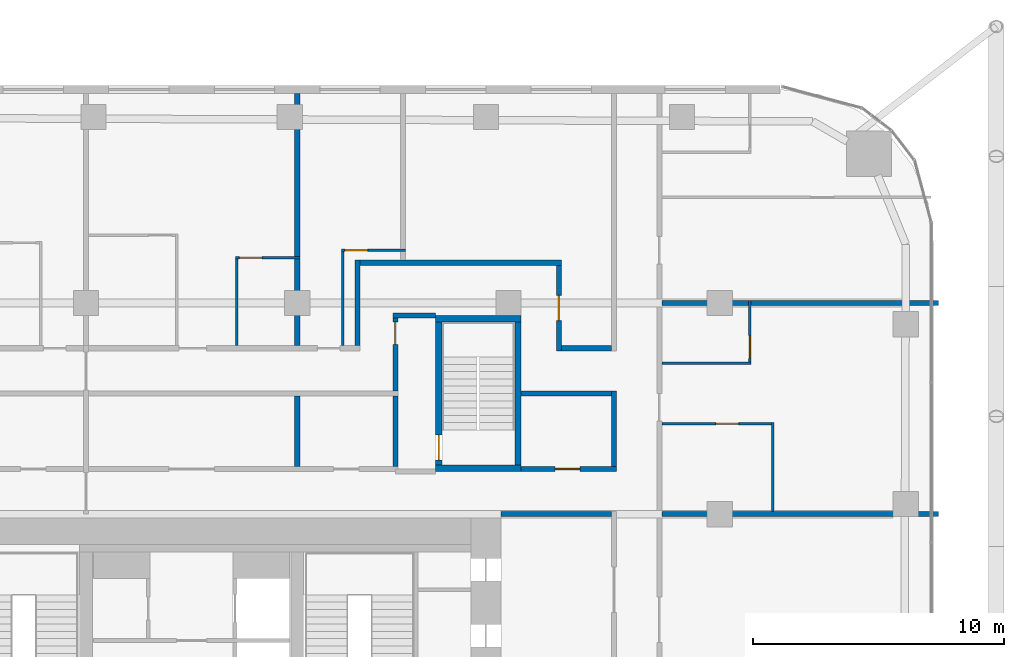
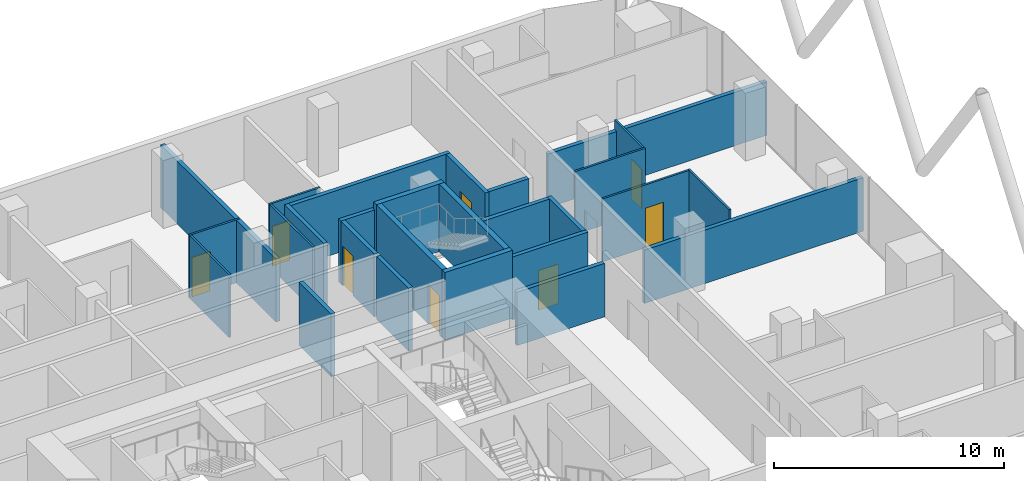
# One storey, part 31 of 35: 27 walls, 8 doors, 8 openings.
"""IFC4 building model written with IfcOpenShell, lengths in metres."""

from ifc_helpers import new_model, si_unit, direction, frame, frame_2d, origin, place, context, subcontext, project, spatial, rectangle, extrude, material, layer, layer_set, type_object, element, fill, save


model = new_model("IFC4")

# Units and contexts
model_context = context("Model", 3, precision=1e-05, world=origin(), true_north=direction((0.0, 1.0)))
body_context = subcontext(model_context, "Body", "Model", "MODEL_VIEW")
ifc_project = project(units=[si_unit("LENGTHUNIT", "METRE"), si_unit("AREAUNIT", "SQUARE_METRE"), si_unit("VOLUMEUNIT", "CUBIC_METRE"), si_unit("PLANEANGLEUNIT", "RADIAN"), si_unit("MASSUNIT", "GRAM", prefix="KILO")], contexts=[model_context])

# Site, building, storey
site_placement = place(None, origin())
site = spatial("IfcSite", under=ifc_project, at=site_placement, CompositionType="ELEMENT")
building_placement = place(site_placement, origin())
building = spatial("IfcBuilding", under=site, at=building_placement, Name="Marenta Gate Hotel Tower", CompositionType="ELEMENT")
storey_placement = place(building_placement, frame((0.0, 0.0, 61.699951171875)))
storey = spatial("IfcBuildingStorey", under=building, at=storey_placement, Name="L13", CompositionType="ELEMENT", Elevation=61.699951171875)

# Walls
ifc_material_1 = material(Name="Concrete blockwork", Category="masonry")
ifc_layer_1 = layer(ifc_material_1, 0.199951171875)
ifc_layer_set_1 = layer_set([ifc_layer_1], Name="Concrete blockwork")
wall_type_1 = type_object("IfcWallType", Name="Core boundary wall 200 REI 180", PredefinedType="PARTITIONING", material=ifc_layer_set_1)
wall_1_placement = place(storey_placement, frame((12.300048828125, 16.800048828125, 0.0), z_axis=(0.0, 0.0, 1.0), x_axis=(1.0, 0.0, 0.0)))
element("IfcWall", 1, at=wall_1_placement, inside=storey, type_object=wall_type_1, Name="L13-CP-EW-EN", PredefinedType="PARTITIONING", context=body_context, shape_type="SweptSolid", body=[
    extrude(rectangle(XDim=4.39990234375, YDim=0.199951171875, at=frame_2d((2.199951171875, 0.0))), origin(), (0.0, 0.0, 1.0), 2.840087890625),
])
ifc_material_2 = material(Name="Concrete C40", Category="concrete")
ifc_layer_2 = layer(ifc_material_2, 0.25)
ifc_layer_set_2 = layer_set([ifc_layer_2], Name="Concrete C40")
wall_type_2 = type_object("IfcWallType", Name="Remote stair enclosure wall 250 REI 180", PredefinedType="SHEAR", material=ifc_layer_set_2)
for number, where, z_axis, x_axis, name in (
    (2, (9.699951171875, 18.625, 0.10009765625), (0.0, 0.0, 1.0), (1.0, 0.0, 0.0), "L13-RS-Z1-4-W1"),
    (3, (9.699951171875, 24.574951171875, 0.10009765625), (0.0, 0.0, 1.0), (1.0, 0.0, 0.0), "L13-RS-Z1-4-W2"),
):
    element("IfcWall", number, at=place(storey_placement, frame(where, z_axis=z_axis, x_axis=x_axis)), inside=storey, type_object=wall_type_2, Name=name, PredefinedType="SHEAR", context=body_context, shape_type="SweptSolid", body=[
        extrude(rectangle(XDim=3.400146484375, YDim=0.25, at=frame_2d((1.7001953125, 0.0))), origin(), (0.0, 0.0, 1.0), 3.599853515625),
    ])

# Wall, opening, door
wall_2_placement = place(storey_placement, frame((9.824951171875, 18.75, 0.10009765625), z_axis=(0.0, 0.0, 1.0), x_axis=(0.0, 1.0, 0.0)))
wall_2 = element("IfcWall", 4, at=wall_2_placement, inside=storey, type_object=wall_type_2, Name="L13-RS-Z1-4-W3", PredefinedType="SHEAR", context=body_context, shape_type="SweptSolid", body=[
    extrude(rectangle(XDim=5.699951171875, YDim=0.25, at=frame_2d((2.85009765625, 0.0))), origin(), (0.0, 0.0, 1.0), 3.599853515625),
])
opening_1_placement = place(wall_2_placement, frame((0.199951171875, 0.0, 0.0)))
opening_1 = element("IfcOpeningElement", 5, at=opening_1_placement, cuts=wall_2, Name="Opening VD", PredefinedType="OPENING", context=body_context, shape_type="SweptSolid", body=[
    extrude(rectangle(XDim=1.0, YDim=2.10009765625, at=frame_2d((0.5, 1.050048828125))), frame((0.0, 0.125, 0.0), z_axis=(0.0, -1.0, 0.0), x_axis=(1.0, 0.0, 0.0)), (0.0, 0.0, 1.0), 0.25),
])
ifc_material_3 = material(Name="Steel", Category="steel")
door_type_1 = type_object("IfcDoorType", Name="Stair vestibule door 1000x2100 FD60", OperationType="SINGLE_SWING_LEFT", PredefinedType="DOOR", material=ifc_material_3)
door_1_placement = place(opening_1_placement, origin())
door_1 = element("IfcDoor", 6, at=door_1_placement, inside=storey, type_object=door_type_1, Name="VD", OperationType="SINGLE_SWING_LEFT", OverallHeight=2.10009765625, OverallWidth=1.0, PredefinedType="DOOR", context=body_context, shape_type="SweptSolid", body=[
    extrude(rectangle(XDim=1.0, YDim=2.10009765625, at=frame_2d((0.5, 1.050048828125))), frame((0.0, 0.02490234375, 0.0), z_axis=(0.0, -1.0, 0.0), x_axis=(1.0, 0.0, 0.0)), (0.0, 0.0, 1.0), 0.050048828125),
])
fill(opening_1, door_1)

# Walls
wall_3_placement = place(storey_placement, frame((12.97509765625, 18.75, 0.10009765625), z_axis=(0.0, 0.0, 1.0), x_axis=(0.0, 1.0, 0.0)))
element("IfcWall", 7, at=wall_3_placement, inside=storey, type_object=wall_type_2, Name="L13-RS-Z1-4-W4", PredefinedType="SHEAR", context=body_context, shape_type="SweptSolid", body=[
    extrude(rectangle(XDim=5.699951171875, YDim=0.25, at=frame_2d((2.85009765625, 0.0))), origin(), (0.0, 0.0, 1.0), 3.599853515625),
])
ifc_material_4 = material(Name="Gypsum board on steel stud", Category="steel")
ifc_layer_3 = layer(ifc_material_4, 0.199951171875)
ifc_layer_set_3 = layer_set([ifc_layer_3], Name="Gypsum board on steel stud")
wall_type_3 = type_object("IfcWallType", Name="Room corridor wall 200 EI 60", PredefinedType="PARTITIONING", material=ifc_layer_set_3)
wall_4_placement = place(storey_placement, frame((16.800048828125, 18.699951171875, 0.0), z_axis=(0.0, 0.0, 1.0), x_axis=(0.0, 1.0, 0.0)))
element("IfcWall", 8, at=wall_4_placement, inside=storey, type_object=wall_type_3, Name="L13-PTN-W012", PredefinedType="PARTITIONING", context=body_context, shape_type="SweptSolid", body=[
    extrude(rectangle(XDim=3.0, YDim=0.199951171875, at=frame_2d((1.5, 0.0))), origin(), (0.0, 0.0, 1.0), 3.340087890625),
])

# Wall, opening, door
wall_5_placement = place(storey_placement, frame((14.60009765625, 23.300048828125, 0.0), z_axis=(0.0, 0.0, 1.0), x_axis=(0.0, 1.0, 0.0)))
wall_5 = element("IfcWall", 9, at=wall_5_placement, inside=storey, type_object=wall_type_3, Name="L13-PTN-W025", PredefinedType="PARTITIONING", context=body_context, shape_type="SweptSolid", body=[
    extrude(rectangle(XDim=3.39990234375, YDim=0.199951171875, at=frame_2d((1.699951171875, 0.0))), origin(), (0.0, 0.0, 1.0), 3.340087890625),
])
opening_2_placement = place(wall_5_placement, frame((1.199951171875, 0.0, 0.0)))
opening_2 = element("IfcOpeningElement", 10, at=opening_2_placement, cuts=wall_5, Name="Opening G04-71", PredefinedType="OPENING", context=body_context, shape_type="SweptSolid", body=[
    extrude(rectangle(XDim=1.0, YDim=2.10009765625, at=frame_2d((0.5, 1.050048828125))), frame((0.0, 0.10009765625, 0.0), z_axis=(0.0, -1.0, 0.0), x_axis=(1.0, 0.0, 0.0)), (0.0, 0.0, 1.0), 0.199951171875),
])
ifc_material_5 = material(Name="Timber door leaf", Category="wood")
door_type_2 = type_object("IfcDoorType", Name="Room amenity door 1000x2100 EI 30", OperationType="NOTDEFINED", PredefinedType="DOOR", material=ifc_material_5)
door_2_placement = place(opening_2_placement, origin())
door_2 = element("IfcDoor", 11, at=door_2_placement, inside=storey, type_object=door_type_2, Name="L13-PD-D071", OperationType="SINGLE_SWING_LEFT", OverallHeight=2.10009765625, OverallWidth=1.0, PredefinedType="DOOR", context=body_context, shape_type="SweptSolid", body=[
    extrude(rectangle(XDim=1.0, YDim=2.10009765625, at=frame_2d((0.5, 1.050048828125))), frame((0.0, 0.02490234375, 0.0), z_axis=(0.0, -1.0, 0.0), x_axis=(1.0, 0.0, 0.0)), (0.0, 0.0, 1.0), 0.050048828125),
])
fill(opening_2, door_2)

# Wall
wall_6_placement = place(storey_placement, frame((6.60009765625, 23.5, 0.0), z_axis=(0.0, 0.0, 1.0), x_axis=(0.0, 1.0, 0.0)))
element("IfcWall", 12, at=wall_6_placement, inside=storey, type_object=wall_type_3, Name="L13-PTN-W044", PredefinedType="PARTITIONING", context=body_context, shape_type="SweptSolid", body=[
    extrude(rectangle(XDim=3.39990234375, YDim=0.199951171875, at=frame_2d((1.699951171875, 0.0))), origin(), (0.0, 0.0, 1.0), 3.340087890625),
])

# Wall, opening, door
wall_7_placement = place(storey_placement, frame((13.10009765625, 18.60009765625, 0.0), z_axis=(0.0, 0.0, 1.0), x_axis=(1.0, 0.0, 0.0)))
wall_7 = element("IfcWall", 13, at=wall_7_placement, inside=storey, type_object=wall_type_3, Name="L13-PTN-W121", PredefinedType="PARTITIONING", context=body_context, shape_type="SweptSolid", body=[
    extrude(rectangle(XDim=3.7998046875, YDim=0.199951171875, at=frame_2d((1.89990234375, 0.0))), origin(), (0.0, 0.0, 1.0), 3.340087890625),
])
opening_3_placement = place(wall_7_placement, frame((1.35009765625, 0.0, 0.0)))
opening_3 = element("IfcOpeningElement", 14, at=opening_3_placement, cuts=wall_7, Name="Opening G04-04", PredefinedType="OPENING", context=body_context, shape_type="SweptSolid", body=[
    extrude(rectangle(XDim=1.0, YDim=2.10009765625, at=frame_2d((0.5, 1.050048828125))), frame((0.0, 0.10009765625, 0.0), z_axis=(0.0, -1.0, 0.0), x_axis=(1.0, 0.0, 0.0)), (0.0, 0.0, 1.0), 0.199951171875),
])
door_3_placement = place(opening_3_placement, origin())
door_3 = element("IfcDoor", 15, at=door_3_placement, inside=storey, type_object=door_type_2, Name="L13-PD-D004", OperationType="SINGLE_SWING_LEFT", OverallHeight=2.10009765625, OverallWidth=1.0, PredefinedType="DOOR", context=body_context, shape_type="SweptSolid", body=[
    extrude(rectangle(XDim=1.0, YDim=2.10009765625, at=frame_2d((0.5, 1.050048828125))), frame((0.0, 0.02490234375, 0.0), z_axis=(0.0, -1.0, 0.0), x_axis=(1.0, 0.0, 0.0)), (0.0, 0.0, 1.0), 0.050048828125),
])
fill(opening_3, door_3)

# Walls
wall_8_placement = place(storey_placement, frame((13.10009765625, 21.60009765625, 0.0), z_axis=(0.0, 0.0, 1.0), x_axis=(1.0, 0.0, 0.0)))
element("IfcWall", 16, at=wall_8_placement, inside=storey, type_object=wall_type_3, Name="L13-PTN-W128", PredefinedType="PARTITIONING", context=body_context, shape_type="SweptSolid", body=[
    extrude(rectangle(XDim=3.599853515625, YDim=0.199951171875, at=frame_2d((1.7998046875, 0.0))), origin(), (0.0, 0.0, 1.0), 3.340087890625),
])
wall_9_placement = place(storey_placement, frame((14.699951171875, 23.39990234375, 0.0), z_axis=(0.0, 0.0, 1.0), x_axis=(1.0, 0.0, 0.0)))
element("IfcWall", 17, at=wall_9_placement, inside=storey, type_object=wall_type_3, Name="L13-PTN-W136", PredefinedType="PARTITIONING", context=body_context, shape_type="SweptSolid", body=[
    extrude(rectangle(XDim=2.0, YDim=0.199951171875, at=frame_2d((1.0, 0.0))), origin(), (0.0, 0.0, 1.0), 3.340087890625),
])
wall_10_placement = place(storey_placement, frame((6.699951171875, 26.800048828125, 0.0), z_axis=(0.0, 0.0, 1.0), x_axis=(1.0, 0.0, 0.0)))
element("IfcWall", 18, at=wall_10_placement, inside=storey, type_object=wall_type_3, Name="L13-PTN-W143", PredefinedType="PARTITIONING", context=body_context, shape_type="SweptSolid", body=[
    extrude(rectangle(XDim=8.0, YDim=0.199951171875, at=frame_2d((4.0, 0.0))), origin(), (0.0, 0.0, 1.0), 3.340087890625),
])

# Wall, opening, door
ifc_material_6 = material(Name="Concrete blockwork", Category="masonry")
ifc_layer_4 = layer(ifc_material_6, 0.199951171875)
ifc_layer_set_4 = layer_set([ifc_layer_4], Name="Concrete blockwork")
wall_type_4 = type_object("IfcWallType", Name="Room corridor wall 200 REI 180", PredefinedType="PARTITIONING", material=ifc_layer_set_4)
wall_11_placement = place(storey_placement, frame((8.10009765625, 21.699951171875, 0.0), z_axis=(0.0, 0.0, 1.0), x_axis=(0.0, 1.0, 0.0)))
wall_11 = element("IfcWall", 19, at=wall_11_placement, inside=storey, type_object=wall_type_4, Name="L13-PTN-W042", PredefinedType="PARTITIONING", context=body_context, shape_type="SweptSolid", body=[
    extrude(rectangle(XDim=2.900146484375, YDim=0.199951171875, at=frame_2d((1.4501953125, 0.0))), origin(), (0.0, 0.0, 1.0), 3.340087890625),
])
opening_4_placement = place(wall_11_placement, frame((1.85009765625, 0.0, 0.0)))
opening_4 = element("IfcOpeningElement", 20, at=opening_4_placement, cuts=wall_11, Name="Opening G04-70", PredefinedType="OPENING", context=body_context, shape_type="SweptSolid", body=[
    extrude(rectangle(XDim=0.89990234375, YDim=2.10009765625, at=frame_2d((0.449951171875, 1.050048828125))), frame((0.0, 0.10009765625, 0.0), z_axis=(0.0, -1.0, 0.0), x_axis=(1.0, 0.0, 0.0)), (0.0, 0.0, 1.0), 0.199951171875),
])
ifc_material_7 = material(Name="Hollow steel door set", Category="steel")
door_type_3 = type_object("IfcDoorType", Name="Stair vestibule door 900x2100 EI 60", OperationType="NOTDEFINED", PredefinedType="DOOR", material=ifc_material_7)
door_4_placement = place(opening_4_placement, origin())
door_4 = element("IfcDoor", 21, at=door_4_placement, inside=storey, type_object=door_type_3, Name="L13-PD-D070", OperationType="SINGLE_SWING_LEFT", OverallHeight=2.10009765625, OverallWidth=0.89990234375, PredefinedType="DOOR", context=body_context, shape_type="SweptSolid", body=[
    extrude(rectangle(XDim=0.89990234375, YDim=2.10009765625, at=frame_2d((0.449951171875, 1.050048828125))), frame((0.0, 0.02490234375, 0.0), z_axis=(0.0, -1.0, 0.0), x_axis=(1.0, 0.0, 0.0)), (0.0, 0.0, 1.0), 0.050048828125),
])
fill(opening_4, door_4)

# Walls
wall_12_placement = place(storey_placement, frame((8.0, 24.699951171875, 0.0), z_axis=(0.0, 0.0, 1.0), x_axis=(1.0, 0.0, 0.0)))
element("IfcWall", 22, at=wall_12_placement, inside=storey, type_object=wall_type_4, Name="L13-PTN-W138", PredefinedType="PARTITIONING", context=body_context, shape_type="SweptSolid", body=[
    extrude(rectangle(XDim=1.699951171875, YDim=0.199951171875, at=frame_2d((0.85009765625, 0.0))), origin(), (0.0, 0.0, 1.0), 3.340087890625),
])
ifc_material_8 = material(Name="Gypsum board on steel stud", Category="steel")
ifc_layer_5 = layer(ifc_material_8, 0.10009765625)
ifc_layer_set_5 = layer_set([ifc_layer_5], Name="Gypsum board on steel stud")
wall_type_5 = type_object("IfcWallType", Name="Room partition 100", PredefinedType="PARTITIONING", material=ifc_layer_set_5)
wall_13_placement = place(storey_placement, frame((23.10009765625, 16.89990234375, 0.0), z_axis=(0.0, 0.0, 1.0), x_axis=(0.0, 1.0, 0.0)))
element("IfcWall", 23, at=wall_13_placement, inside=storey, type_object=wall_type_5, Name="L13-PTN-W001", PredefinedType="PARTITIONING", context=body_context, shape_type="SweptSolid", body=[
    extrude(rectangle(XDim=3.550048828125, YDim=0.10009765625, at=frame_2d((1.77490234375, 0.0))), origin(), (0.0, 0.0, 1.0), 3.340087890625),
])

# Wall, opening, door
wall_14_placement = place(storey_placement, frame((22.199951171875, 22.85009765625, 0.0), z_axis=(0.0, 0.0, 1.0), x_axis=(0.0, 1.0, 0.0)))
wall_14 = element("IfcWall", 24, at=wall_14_placement, inside=storey, type_object=wall_type_5, Name="L13-PTN-W005", PredefinedType="PARTITIONING", context=body_context, shape_type="SweptSolid", body=[
    extrude(rectangle(XDim=2.449951171875, YDim=0.10009765625, at=frame_2d((1.22509765625, 0.0))), origin(), (0.0, 0.0, 1.0), 3.340087890625),
])
opening_5_placement = place(wall_14_placement, frame((0.14990234375, 0.0, 0.0)))
opening_5 = element("IfcOpeningElement", 25, at=opening_5_placement, cuts=wall_14, Name="Opening G04-25", PredefinedType="OPENING", context=body_context, shape_type="SweptSolid", body=[
    extrude(rectangle(XDim=0.89990234375, YDim=2.10009765625, at=frame_2d((0.449951171875, 1.050048828125))), frame((0.0, 0.050048828125, 0.0), z_axis=(0.0, -1.0, 0.0), x_axis=(1.0, 0.0, 0.0)), (0.0, 0.0, 1.0), 0.10009765625),
])
ifc_material_9 = material(Name="Timber door leaf", Category="wood")
door_type_4 = type_object("IfcDoorType", Name="Room inner door 900x2100", OperationType="NOTDEFINED", PredefinedType="DOOR", material=ifc_material_9)
door_5_placement = place(opening_5_placement, origin())
door_5 = element("IfcDoor", 26, at=door_5_placement, inside=storey, type_object=door_type_4, Name="L13-PD-D025", OperationType="SINGLE_SWING_LEFT", OverallHeight=2.10009765625, OverallWidth=0.89990234375, PredefinedType="DOOR", context=body_context, shape_type="SweptSolid", body=[
    extrude(rectangle(XDim=0.89990234375, YDim=2.10009765625, at=frame_2d((0.449951171875, 1.050048828125))), frame((0.0, 0.02490234375, 0.0), z_axis=(0.0, -1.0, 0.0), x_axis=(1.0, 0.0, 0.0)), (0.0, 0.0, 1.0), 0.050048828125),
])
fill(opening_5, door_5)

# Walls
wall_15_placement = place(storey_placement, frame((6.0, 23.5, 0.0), z_axis=(0.0, 0.0, 1.0), x_axis=(0.0, 1.0, 0.0)))
element("IfcWall", 27, at=wall_15_placement, inside=storey, type_object=wall_type_5, Name="L13-PTN-W049", PredefinedType="PARTITIONING", context=body_context, shape_type="SweptSolid", body=[
    extrude(rectangle(XDim=3.75, YDim=0.10009765625, at=frame_2d((1.875, 0.0))), origin(), (0.0, 0.0, 1.0), 3.340087890625),
])
wall_16_placement = place(storey_placement, frame((1.800048828125, 23.5, 0.0), z_axis=(0.0, 0.0, 1.0), x_axis=(0.0, 1.0, 0.0)))
element("IfcWall", 28, at=wall_16_placement, inside=storey, type_object=wall_type_5, Name="L13-PTN-W060", PredefinedType="PARTITIONING", context=body_context, shape_type="SweptSolid", body=[
    extrude(rectangle(XDim=3.449951171875, YDim=0.10009765625, at=frame_2d((1.72509765625, 0.0))), origin(), (0.0, 0.0, 1.0), 3.340087890625),
])

# Wall, opening, door
wall_17_placement = place(storey_placement, frame((18.699951171875, 20.39990234375, 0.0), z_axis=(0.0, 0.0, 1.0), x_axis=(1.0, 0.0, 0.0)))
wall_17 = element("IfcWall", 29, at=wall_17_placement, inside=storey, type_object=wall_type_5, Name="L13-PTN-W122", PredefinedType="PARTITIONING", context=body_context, shape_type="SweptSolid", body=[
    extrude(rectangle(XDim=4.35009765625, YDim=0.10009765625, at=frame_2d((2.175048828125, 0.0))), origin(), (0.0, 0.0, 1.0), 3.340087890625),
])
opening_6_placement = place(wall_17_placement, frame((2.14990234375, 0.0, 0.0)))
opening_6 = element("IfcOpeningElement", 30, at=opening_6_placement, cuts=wall_17, Name="Opening G04-24", PredefinedType="OPENING", context=body_context, shape_type="SweptSolid", body=[
    extrude(rectangle(XDim=0.89990234375, YDim=2.10009765625, at=frame_2d((0.449951171875, 1.050048828125))), frame((0.0, 0.050048828125, 0.0), z_axis=(0.0, -1.0, 0.0), x_axis=(1.0, 0.0, 0.0)), (0.0, 0.0, 1.0), 0.10009765625),
])
ifc_material_10 = material(Name="Timber door leaf", Category="wood")
door_type_5 = type_object("IfcDoorType", Name="Guest bathroom door 900x2100", OperationType="NOTDEFINED", PredefinedType="DOOR", material=ifc_material_10)
door_6_placement = place(opening_6_placement, origin())
door_6 = element("IfcDoor", 31, at=door_6_placement, inside=storey, type_object=door_type_5, Name="L13-PD-D024", OperationType="SINGLE_SWING_LEFT", OverallHeight=2.10009765625, OverallWidth=0.89990234375, PredefinedType="DOOR", context=body_context, shape_type="SweptSolid", body=[
    extrude(rectangle(XDim=0.89990234375, YDim=2.10009765625, at=frame_2d((0.449951171875, 1.050048828125))), frame((0.0, 0.02490234375, 0.0), z_axis=(0.0, -1.0, 0.0), x_axis=(1.0, 0.0, 0.0)), (0.0, 0.0, 1.0), 0.050048828125),
])
fill(opening_6, door_6)

# Wall
wall_18_placement = place(storey_placement, frame((18.699951171875, 22.800048828125, 0.0), z_axis=(0.0, 0.0, 1.0), x_axis=(1.0, 0.0, 0.0)))
element("IfcWall", 32, at=wall_18_placement, inside=storey, type_object=wall_type_5, Name="L13-PTN-W134", PredefinedType="PARTITIONING", context=body_context, shape_type="SweptSolid", body=[
    extrude(rectangle(XDim=3.550048828125, YDim=0.10009765625, at=frame_2d((1.77490234375, 0.0))), origin(), (0.0, 0.0, 1.0), 3.340087890625),
])

# Wall, opening, door
wall_19_placement = place(storey_placement, frame((1.75, 27.0, 0.0), z_axis=(0.0, 0.0, 1.0), x_axis=(1.0, 0.0, 0.0)))
wall_19 = element("IfcWall", 33, at=wall_19_placement, inside=storey, type_object=wall_type_5, Name="L13-PTN-W146", PredefinedType="PARTITIONING", context=body_context, shape_type="SweptSolid", body=[
    extrude(rectangle(XDim=2.550048828125, YDim=0.10009765625, at=frame_2d((1.27490234375, 0.0))), origin(), (0.0, 0.0, 1.0), 3.340087890625),
])
opening_7_placement = place(wall_19_placement, frame((0.14990234375, 0.0, 0.0)))
opening_7 = element("IfcOpeningElement", 34, at=opening_7_placement, cuts=wall_19, Name="Opening G04-37", PredefinedType="OPENING", context=body_context, shape_type="SweptSolid", body=[
    extrude(rectangle(XDim=0.89990234375, YDim=2.10009765625, at=frame_2d((0.449951171875, 1.050048828125))), frame((0.0, 0.050048828125, 0.0), z_axis=(0.0, -1.0, 0.0), x_axis=(1.0, 0.0, 0.0)), (0.0, 0.0, 1.0), 0.10009765625),
])
door_7_placement = place(opening_7_placement, origin())
door_7 = element("IfcDoor", 35, at=door_7_placement, inside=storey, type_object=door_type_4, Name="L13-PD-D037", OperationType="SINGLE_SWING_RIGHT", OverallHeight=2.10009765625, OverallWidth=0.89990234375, PredefinedType="DOOR", context=body_context, shape_type="SweptSolid", body=[
    extrude(rectangle(XDim=0.89990234375, YDim=2.10009765625, at=frame_2d((0.449951171875, 1.050048828125))), frame((0.0, 0.02490234375, 0.0), z_axis=(0.0, -1.0, 0.0), x_axis=(1.0, 0.0, 0.0)), (0.0, 0.0, 1.0), 0.050048828125),
])
fill(opening_7, door_7)

wall_20_placement = place(storey_placement, frame((5.949951171875, 27.300048828125, 0.0), z_axis=(0.0, 0.0, 1.0), x_axis=(1.0, 0.0, 0.0)))
wall_20 = element("IfcWall", 36, at=wall_20_placement, inside=storey, type_object=wall_type_5, Name="L13-PTN-W147", PredefinedType="PARTITIONING", context=body_context, shape_type="SweptSolid", body=[
    extrude(rectangle(XDim=2.550048828125, YDim=0.10009765625, at=frame_2d((1.27490234375, 0.0))), origin(), (0.0, 0.0, 1.0), 3.340087890625),
])
opening_8_placement = place(wall_20_placement, frame((0.14990234375, 0.0, 0.0)))
opening_8 = element("IfcOpeningElement", 37, at=opening_8_placement, cuts=wall_20, Name="Opening G04-39", PredefinedType="OPENING", context=body_context, shape_type="SweptSolid", body=[
    extrude(rectangle(XDim=0.89990234375, YDim=2.10009765625, at=frame_2d((0.449951171875, 1.050048828125))), frame((0.0, 0.050048828125, 0.0), z_axis=(0.0, -1.0, 0.0), x_axis=(1.0, 0.0, 0.0)), (0.0, 0.0, 1.0), 0.10009765625),
])
door_8_placement = place(opening_8_placement, origin())
door_8 = element("IfcDoor", 38, at=door_8_placement, inside=storey, type_object=door_type_5, Name="L13-PD-D039", OperationType="SINGLE_SWING_RIGHT", OverallHeight=2.10009765625, OverallWidth=0.89990234375, PredefinedType="DOOR", context=body_context, shape_type="SweptSolid", body=[
    extrude(rectangle(XDim=0.89990234375, YDim=2.10009765625, at=frame_2d((0.449951171875, 1.050048828125))), frame((0.0, 0.02490234375, 0.0), z_axis=(0.0, -1.0, 0.0), x_axis=(1.0, 0.0, 0.0)), (0.0, 0.0, 1.0), 0.050048828125),
])
fill(opening_8, door_8)

# Walls
ifc_material_11 = material(Name="Gypsum board on steel stud", Category="steel")
ifc_layer_6 = layer(ifc_material_11, 0.199951171875)
ifc_layer_set_6 = layer_set([ifc_layer_6], Name="Gypsum board on steel stud")
wall_type_6 = type_object("IfcWallType", Name="Room party wall 200 EI 60", PredefinedType="PARTITIONING", material=ifc_layer_set_6)
wall_21_placement = place(storey_placement, frame((4.199951171875, 18.699951171875, 0.0), z_axis=(0.0, 0.0, 1.0), x_axis=(0.0, 1.0, 0.0)))
element("IfcWall", 39, at=wall_21_placement, inside=storey, type_object=wall_type_6, Name="L13-PTN-W054", PredefinedType="PARTITIONING", context=body_context, shape_type="SweptSolid", body=[
    extrude(rectangle(XDim=2.800048828125, YDim=0.199951171875, at=frame_2d((1.39990234375, 0.0))), origin(), (0.0, 0.0, 1.0), 3.340087890625),
])
wall_22_placement = place(storey_placement, frame((4.199951171875, 23.5, 0.0), z_axis=(0.0, 0.0, 1.0), x_axis=(0.0, 1.0, 0.0)))
element("IfcWall", 40, at=wall_22_placement, inside=storey, type_object=wall_type_6, Name="L13-PTN-W055", PredefinedType="PARTITIONING", context=body_context, shape_type="SweptSolid", body=[
    extrude(rectangle(XDim=10.0400390625, YDim=0.199951171875, at=frame_2d((5.02001953125, 0.0))), origin(), (0.0, 0.0, 1.0), 3.340087890625),
])
for number, where, z_axis, x_axis, name in (
    (41, (18.699951171875, 16.800048828125, 0.0), (0.0, 0.0, 1.0), (1.0, 0.0, 0.0), "L13-PTN-W114"),
    (42, (18.699951171875, 25.199951171875, 0.0), (0.0, 0.0, 1.0), (1.0, 0.0, 0.0), "L13-PTN-W140"),
):
    element("IfcWall", number, at=place(storey_placement, frame(where, z_axis=z_axis, x_axis=x_axis)), inside=storey, type_object=wall_type_6, Name=name, PredefinedType="PARTITIONING", context=body_context, shape_type="SweptSolid", body=[
        extrude(rectangle(XDim=11.0, YDim=0.199951171875, at=frame_2d((5.5, 0.0))), origin(), (0.0, 0.0, 1.0), 2.840087890625),
    ])
ifc_material_12 = material(Name="Concrete blockwork", Category="masonry")
ifc_layer_7 = layer(ifc_material_12, 0.199951171875)
ifc_layer_set_7 = layer_set([ifc_layer_7], Name="Concrete blockwork")
wall_type_7 = type_object("IfcWallType", Name="Room party wall 200 REI 180", PredefinedType="PARTITIONING", material=ifc_layer_set_7)
wall_23_placement = place(storey_placement, frame((8.10009765625, 18.699951171875, 0.0), z_axis=(0.0, 0.0, 1.0), x_axis=(0.0, 1.0, 0.0)))
element("IfcWall", 43, at=wall_23_placement, inside=storey, type_object=wall_type_7, Name="L13-PTN-W041", PredefinedType="PARTITIONING", context=body_context, shape_type="SweptSolid", body=[
    extrude(rectangle(XDim=2.800048828125, YDim=0.199951171875, at=frame_2d((1.39990234375, 0.0))), origin(), (0.0, 0.0, 1.0), 3.340087890625),
])

save(model, "model.ifc")
